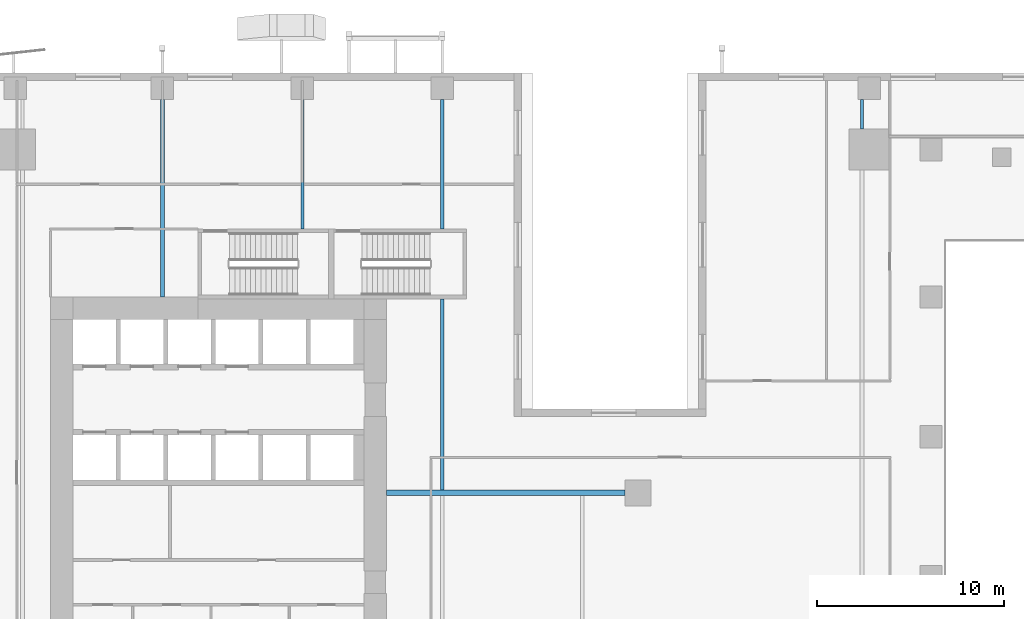
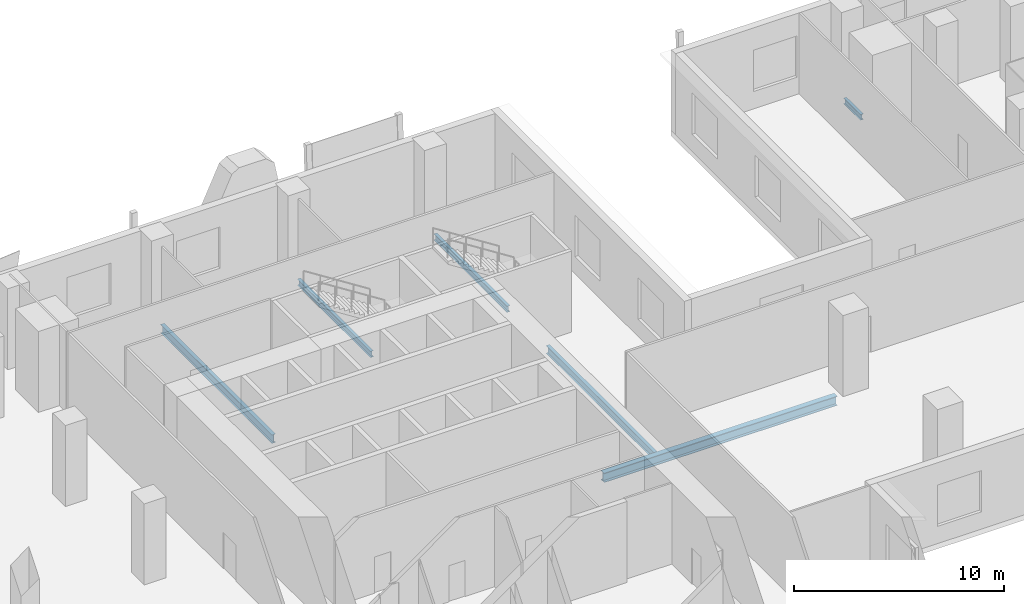
# One storey, part 5 of 22: 6 beams.
"""IFC4 building model written with IfcOpenShell, lengths in metres."""

from ifc_helpers import new_model, si_unit, direction, frame, origin, origin_2d, place, context, subcontext, project, spatial, i_section, extrude, source, transform, mapped, material, material_profile, profile_set, type_object, element, save


model = new_model("IFC4")

# Units and contexts
model_context = context("Model", 3, precision=1e-05, world=origin(), true_north=direction((0.0, 1.0)))
body_context = subcontext(model_context, "Body", "Model", "MODEL_VIEW")
ifc_project = project(units=[si_unit("LENGTHUNIT", "METRE"), si_unit("AREAUNIT", "SQUARE_METRE"), si_unit("VOLUMEUNIT", "CUBIC_METRE"), si_unit("PLANEANGLEUNIT", "RADIAN"), si_unit("MASSUNIT", "GRAM", prefix="KILO")], contexts=[model_context])

# Site, building, storey
site_placement = place(None, origin())
site = spatial("IfcSite", under=ifc_project, at=site_placement, CompositionType="ELEMENT")
building_placement = place(site_placement, origin())
building = spatial("IfcBuilding", under=site, at=building_placement, Name="Khomas Fold Tower", CompositionType="ELEMENT")
storey_placement = place(building_placement, frame((0.0, 0.0, 23.5)))
storey = spatial("IfcBuildingStorey", under=building, at=storey_placement, Name="L04", CompositionType="ELEMENT", Elevation=23.5)

# Beams
ifc_material_1 = material(Name="Steel S355", Category="steel")
ifc_material_profile_1 = material_profile(ifc_material_1, i_section(OverallWidth=0.300048828125, OverallDepth=0.550048828125, WebThickness=0.014892578125, FlangeThickness=0.029052734375, at=origin_2d()), Name="HE 550 B")
ifc_profile_set_1 = profile_set([ifc_material_profile_1], Name="Steel S355")
beam_type_1 = type_object("IfcBeamType", Name="HE 550 B beam GB4", PredefinedType="BEAM", material=ifc_profile_set_1)
shared_shape_1 = source(origin(), body_context, "Body", "SweptSolid", [
    extrude(i_section(OverallWidth=0.300048828125, OverallDepth=0.550048828125, WebThickness=0.014892578125, FlangeThickness=0.029052734375, at=origin_2d()), origin(), (0.0, 0.0, 1.0), 12.800048828125),
])
beam_1_placement = place(storey_placement, frame((24.0, 31.5, -0.574951171875), z_axis=(1.0, 0.0, 0.0), x_axis=(0.0, 1.0, 0.0)))
element("IfcBeam", 1, at=beam_1_placement, inside=storey, type_object=beam_type_1, Name="GB4", PredefinedType="BEAM", context=body_context, shape_type="MappedRepresentation", body=[
    mapped(shared_shape_1, transform((0.0, 0.0, 0.0))),
])
ifc_material_2 = material(Name="Steel S355", Category="steel")
ifc_material_profile_2 = material_profile(ifc_material_2, i_section(OverallWidth=0.159912109375, OverallDepth=0.330078125, WebThickness=0.007568359375, FlangeThickness=0.011474609375, at=origin_2d()), Name="IPE 330")
ifc_profile_set_2 = profile_set([ifc_material_profile_2], Name="Steel S355")
beam_type_2 = type_object("IfcBeamType", Name="IPE 330 beam JB1", PredefinedType="BEAM", material=ifc_profile_set_2)
shared_shape_2 = source(origin(), body_context, "Body", "SweptSolid", [
    extrude(i_section(OverallWidth=0.159912109375, OverallDepth=0.330078125, WebThickness=0.007568359375, FlangeThickness=0.011474609375, at=origin_2d()), origin(), (0.0, 0.0, 1.0), 1.60009765625),
])
beam_2_placement = place(storey_placement, frame((49.5, 51.0, -0.465087890625), z_axis=(0.0, 1.0, 0.0), x_axis=(-1.0, 0.0, 0.0)))
element("IfcBeam", 2, at=beam_2_placement, inside=storey, type_object=beam_type_2, Name="JB1", PredefinedType="BEAM", context=body_context, shape_type="MappedRepresentation", body=[
    mapped(shared_shape_2, transform((0.0, 0.0, 0.0))),
])
ifc_material_3 = material(Name="Steel S355", Category="steel")
ifc_material_profile_3 = material_profile(ifc_material_3, i_section(OverallWidth=0.199951171875, OverallDepth=0.5, WebThickness=0.01025390625, FlangeThickness=0.01611328125, at=origin_2d()), Name="IPE 500")
ifc_profile_set_3 = profile_set([ifc_material_profile_3], Name="Steel S355")
beam_type_3 = type_object("IfcBeamType", Name="IPE 500 beam JB5", PredefinedType="BEAM", material=ifc_profile_set_3)
shared_shape_3 = source(origin(), body_context, "Body", "SweptSolid", [
    extrude(i_section(OverallWidth=0.199951171875, OverallDepth=0.5, WebThickness=0.01025390625, FlangeThickness=0.01611328125, at=origin_2d()), origin(), (0.0, 0.0, 1.0), 10.60009765625),
])
beam_3_placement = place(storey_placement, frame((12.0, 42.0, -0.550048828125), z_axis=(0.0, 1.0, 0.0), x_axis=(-1.0, 0.0, 0.0)))
element("IfcBeam", 3, at=beam_3_placement, inside=storey, type_object=beam_type_3, Name="JB5", PredefinedType="BEAM", context=body_context, shape_type="MappedRepresentation", body=[
    mapped(shared_shape_3, transform((0.0, 0.0, 0.0))),
])
ifc_material_4 = material(Name="Steel S355", Category="steel")
ifc_material_profile_4 = material_profile(ifc_material_4, i_section(OverallWidth=0.169921875, OverallDepth=0.360107421875, WebThickness=0.008056640625, FlangeThickness=0.0126953125, at=origin_2d()), Name="IPE 360")
ifc_profile_set_4 = profile_set([ifc_material_profile_4], Name="Steel S355")
beam_type_4 = type_object("IfcBeamType", Name="IPE 360 beam JB2", PredefinedType="BEAM", material=ifc_profile_set_4)
shared_shape_4 = source(origin(), body_context, "Body", "SweptSolid", [
    extrude(i_section(OverallWidth=0.169921875, OverallDepth=0.360107421875, WebThickness=0.008056640625, FlangeThickness=0.0126953125, at=origin_2d()), origin(), (0.0, 0.0, 1.0), 6.9501953125),
])
for number, where, z_axis, x_axis, name in (
    (4, (19.5, 45.64990234375, -0.47998046875), (0.0, 1.0, 0.0), (-1.0, 0.0, 0.0), "JB2"),
    (5, (27.0, 45.64990234375, -0.47998046875), (0.0, 1.0, 0.0), (-1.0, 0.0, 0.0), "JB2"),
):
    element("IfcBeam", number, at=place(storey_placement, frame(where, z_axis=z_axis, x_axis=x_axis)), inside=storey, type_object=beam_type_4, Name=name, PredefinedType="BEAM", context=body_context, shape_type="MappedRepresentation", body=[
        mapped(shared_shape_4, transform((0.0, 0.0, 0.0))),
    ])
ifc_material_5 = material(Name="Steel S355", Category="steel")
ifc_material_profile_5 = material_profile(ifc_material_5, i_section(OverallWidth=0.18994140625, OverallDepth=0.449951171875, WebThickness=0.009521484375, FlangeThickness=0.0146484375, at=origin_2d()), Name="IPE 450")
ifc_profile_set_5 = profile_set([ifc_material_profile_5], Name="Steel S355")
beam_type_5 = type_object("IfcBeamType", Name="IPE 450 beam JB4", PredefinedType="BEAM", material=ifc_profile_set_5)
shared_shape_5 = source(origin(), body_context, "Body", "SweptSolid", [
    extrude(i_section(OverallWidth=0.18994140625, OverallDepth=0.449951171875, WebThickness=0.009521484375, FlangeThickness=0.0146484375, at=origin_2d()), origin(), (0.0, 0.0, 1.0), 10.25),
])
beam_4_placement = place(storey_placement, frame((27.0, 31.64990234375, -0.52490234375), z_axis=(0.0, 1.0, 0.0), x_axis=(-1.0, 0.0, 0.0)))
element("IfcBeam", 6, at=beam_4_placement, inside=storey, type_object=beam_type_5, Name="JB4", PredefinedType="BEAM", context=body_context, shape_type="MappedRepresentation", body=[
    mapped(shared_shape_5, transform((0.0, 0.0, 0.0))),
])

save(model, "model.ifc")
